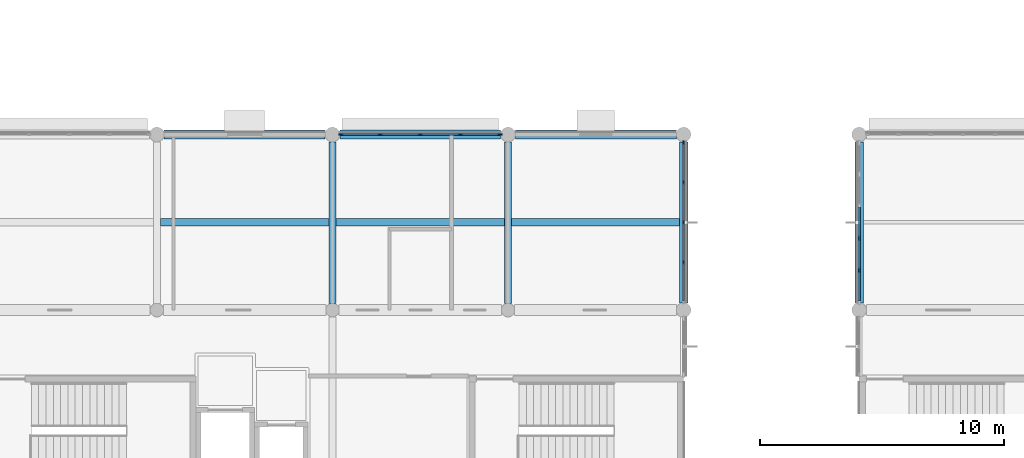
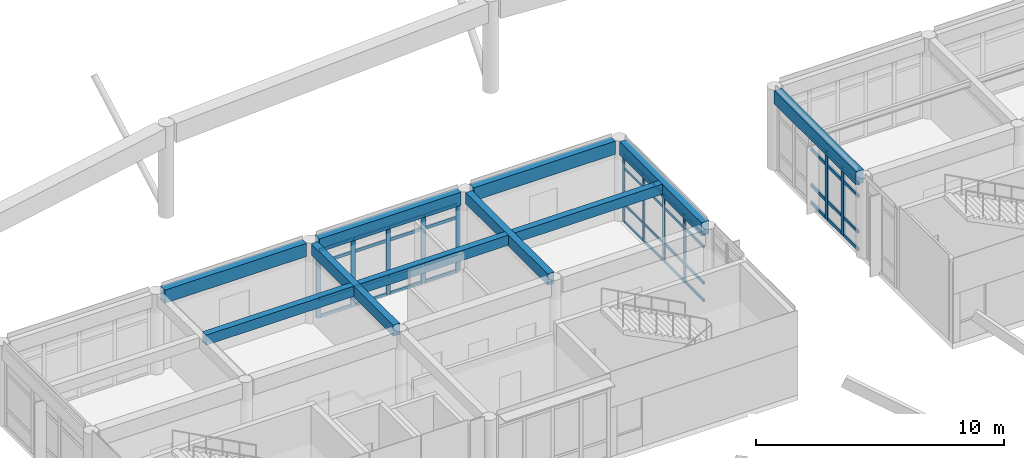
# One storey, part 11 of 37: 55 members, 10 beams, 3 elements without a shape of their own.
"""IFC4 building model written with IfcOpenShell, lengths in metres."""

import ifcopenshell
import ifcopenshell.guid

model = None  # the IFC model being written
_history = None  # IfcOwnerHistory: only IFC2X3 demands one
_inside = {}  # id of a spatial element -> (the spatial element, [elements in it])
_under = {}  # id of a project, library or spatial element -> (it, [spatial elements below it])
_declared = {}  # id of a project -> (the project, [libraries it declares])
_typed = {}  # id of a type object -> (the type object, [elements of that type])
_made_of = {}  # id of a material, layer set ... -> (it, [elements and type objects made of it])


def new_model(schema):
    """Start an empty IFC model of exactly this schema.

    Asked for "IFC4X3", IfcOpenShell would pick the latest addendum, in which some entities
    have other attributes; the version numbers below select the first issue.
    IFC2X3 requires an IfcOwnerHistory on every rooted entity: one is made here for all.
    """
    global model, _history
    if schema == "IFC4X3":
        model = ifcopenshell.file(schema_version=(4, 3, 0, 0))
    else:
        model = ifcopenshell.file(schema=schema)
    _inside.clear()
    _under.clear()
    _declared.clear()
    _typed.clear()
    _made_of.clear()
    _history = None
    if model.schema == "IFC2X3":
        org = make("IfcOrganization", Name="unknown")
        user = make(
            "IfcPersonAndOrganization",
            ThePerson=make("IfcPerson", FamilyName="unknown"),
            TheOrganization=org,
        )
        app = make(
            "IfcApplication",
            ApplicationDeveloper=org,
            Version="unknown",
            ApplicationFullName="unknown",
            ApplicationIdentifier="unknown",
        )
        _history = make(
            "IfcOwnerHistory",
            OwningUser=user,
            OwningApplication=app,
            ChangeAction="ADDED",
            CreationDate=0,
        )
    return model


def make(cls, **values):
    """One entity of the class cls with the attributes given. An attribute that is None is left unset."""
    return model.create_entity(
        cls, **{name: value for name, value in values.items() if value is not None}
    )


def rooted(cls, **values):
    """An entity with a GlobalId (a new one), such as an element, a storey or a relation."""
    return make(cls, GlobalId=ifcopenshell.guid.new(), OwnerHistory=_history, **values)


def si_unit(unit_type, name, prefix=None):
    """IfcSIUnit, for example si_unit("LENGTHUNIT", "METRE", prefix="MILLI")."""
    return make("IfcSIUnit", UnitType=unit_type, Prefix=prefix, Name=name)


def assignment(units):
    """IfcUnitAssignment: the units of a project."""
    return None if units is None else make("IfcUnitAssignment", Units=units)


def point(xyz):
    """IfcCartesianPoint."""
    return None if xyz is None else make("IfcCartesianPoint", Coordinates=xyz)


def direction(xyz):
    """IfcDirection."""
    return None if xyz is None else make("IfcDirection", DirectionRatios=xyz)


def frame(location, z_axis=None, x_axis=None):
    """IfcAxis2Placement3D, a coordinate frame: its origin and axes. An axis left out is left unset."""
    return make(
        "IfcAxis2Placement3D",
        Location=point(location),
        Axis=direction(z_axis),
        RefDirection=direction(x_axis),
    )


def frame_2d(location, x_axis=None):
    """IfcAxis2Placement2D, a coordinate frame in the plane: its origin and x axis."""
    return make(
        "IfcAxis2Placement2D", Location=point(location), RefDirection=direction(x_axis)
    )


def origin():
    """The frame at (0, 0, 0) with its axes left unset."""
    return frame((0.0, 0.0, 0.0))


def origin_2d():
    """The frame at (0, 0) in the plane with its x axis left unset."""
    return frame_2d((0.0, 0.0))


def place(relative_to, where):
    """IfcLocalPlacement: puts the frame where relative to a parent placement (None: the world)."""
    return make(
        "IfcLocalPlacement", PlacementRelTo=relative_to, RelativePlacement=where
    )


def context(
    kind, dimensions, precision=None, world=None, true_north=None, identifier=None
):
    """IfcGeometricRepresentationContext, for example the 3D "Model" context."""
    return make(
        "IfcGeometricRepresentationContext",
        ContextIdentifier=identifier,
        ContextType=kind,
        CoordinateSpaceDimension=dimensions,
        Precision=precision,
        WorldCoordinateSystem=world,
        TrueNorth=true_north,
    )


def subcontext(parent, identifier, kind, view, scale=None):
    """IfcGeometricRepresentationSubContext, for example "Body" below "Model"."""
    return make(
        "IfcGeometricRepresentationSubContext",
        ContextIdentifier=identifier,
        ContextType=kind,
        ParentContext=parent,
        TargetScale=scale,
        TargetView=view,
    )


def project(units=None, contexts=None):
    """IfcProject with its units and contexts."""
    return rooted(
        "IfcProject",
        Name="project",
        RepresentationContexts=contexts,
        UnitsInContext=assignment(units),
    )


def spatial(cls, under=None, at=None, **own):
    """A site, building, storey or space (cls), placed at a placement, below another one or the project."""
    s = rooted(cls, ObjectPlacement=at, **own)
    if under is not None:
        _under.setdefault(under.id(), (under, []))[1].append(s)
    return s


def profile(cls, at=None, kind="AREA", **sizes):
    """A parametric profile (cls). Its sizes go by their IFC names, for example OverallWidth=200.0."""
    return make(cls, ProfileType=kind, Position=at, **sizes)


def rectangle(**sizes):
    """IfcRectangleProfileDef."""
    return profile("IfcRectangleProfileDef", **sizes)


def extrude(swept, where, along, depth):
    """IfcExtrudedAreaSolid: the profile swept, set in the frame where, extruded along a direction by depth."""
    return make(
        "IfcExtrudedAreaSolid",
        SweptArea=swept,
        Position=where,
        ExtrudedDirection=direction(along),
        Depth=depth,
    )


def shape(context_of_items, identifier, shape_type, items):
    """IfcShapeRepresentation: the items that make up one representation, for example the "Body"."""
    return make(
        "IfcShapeRepresentation",
        ContextOfItems=context_of_items,
        RepresentationIdentifier=identifier,
        RepresentationType=shape_type,
        Items=items,
    )


def material(Name=None, Category=None):
    """IfcMaterial."""
    return make("IfcMaterial", Name=Name, Category=Category)


def layer(
    of_material, thickness, ventilated=None, Name=None, Category=None, Priority=None
):
    """IfcMaterialLayer: one layer of a wall or slab, of a material (None: an air gap)."""
    return make(
        "IfcMaterialLayer",
        Material=of_material,
        LayerThickness=thickness,
        IsVentilated=ventilated,
        Name=Name,
        Category=Category,
        Priority=Priority,
    )


def layer_set(layers, Name=None):
    """IfcMaterialLayerSet."""
    return make("IfcMaterialLayerSet", MaterialLayers=layers, LayerSetName=Name)


def material_profile(
    of_material, cross_section, Name=None, Category=None, Priority=None
):
    """IfcMaterialProfile: a cross section and its material."""
    return make(
        "IfcMaterialProfile",
        Name=Name,
        Material=of_material,
        Profile=cross_section,
        Priority=Priority,
        Category=Category,
    )


def profile_set(profiles, Name=None, composite=None):
    """IfcMaterialProfileSet."""
    return make(
        "IfcMaterialProfileSet",
        Name=Name,
        MaterialProfiles=profiles,
        CompositeProfile=composite,
    )


def made_of(thing, what):
    """Note that an element or type object is made of a material, layer set ...; save() writes the relation."""
    if what is not None:
        _made_of.setdefault(what.id(), (what, []))[1].append(thing)
    return thing


def type_object(cls, material=None, **own):
    """A type object (cls), such as IfcWallType, which elements share."""
    return made_of(rooted(cls, **own), material)


def element(
    cls,
    number,
    at=None,
    inside=None,
    cuts=None,
    type_object=None,
    material=None,
    context=None,
    identifier="Body",
    shape_type=None,
    held_by="IfcProductDefinitionShape",
    body=None,
    shapes=None,
    **own,
):
    """One element of the class cls, such as IfcWall. Its Tag is "e" and its number.

    at: its placement. inside: the storey or other place that contains it. cuts: it is an
    opening in that element (IfcRelVoidsElement). A single representation is given by context,
    identifier, shape_type and body (its items); several are given by shapes. held_by: the class
    of the entity that holds the representations. save() writes the other relations.
    """
    e = rooted(cls, Tag="e%d" % number, ObjectPlacement=at, **own)
    if body is not None:
        shapes = [shape(context, identifier, shape_type, body)]
    if shapes is not None:
        e.Representation = make(held_by, Representations=shapes)
    if inside is not None:
        _inside.setdefault(inside.id(), (inside, []))[1].append(e)
    if cuts is not None:
        rooted(
            "IfcRelVoidsElement", RelatingBuildingElement=cuts, RelatedOpeningElement=e
        )
    if type_object is not None:
        _typed.setdefault(type_object.id(), (type_object, []))[1].append(e)
    return made_of(e, material)


def aggregate(whole, parts):
    """IfcRelAggregates: a whole, such as a stair, and the parts it consists of."""
    return rooted("IfcRelAggregates", RelatingObject=whole, RelatedObjects=parts)


def save(model, path):
    """Write the relations noted so far, then the file.

    IfcRelAggregates (storeys below a building ...), IfcRelContainedInSpatialStructure (elements
    in a storey), IfcRelDefinesByType, IfcRelAssociatesMaterial and IfcRelDeclares: one each for
    every whole, place, type object, material and project.
    """
    for whole, parts in _under.values():
        aggregate(whole, parts)
    for where, things in _inside.values():
        rooted(
            "IfcRelContainedInSpatialStructure",
            RelatedElements=things,
            RelatingStructure=where,
        )
    for kind, things in _typed.values():
        rooted("IfcRelDefinesByType", RelatedObjects=things, RelatingType=kind)
    for what, things in _made_of.values():
        rooted("IfcRelAssociatesMaterial", RelatedObjects=things, RelatingMaterial=what)
    for by, libraries in _declared.values():
        rooted("IfcRelDeclares", RelatingContext=by, RelatedDefinitions=libraries)
    model.write(path)


model = new_model("IFC4")

# Units and contexts
model_context = context("Model", 3, precision=1e-05, world=origin(), true_north=direction((0.0, 1.0)))
body_context = subcontext(model_context, "Body", "Model", "MODEL_VIEW")
ifc_project = project(units=[si_unit("LENGTHUNIT", "METRE"), si_unit("AREAUNIT", "SQUARE_METRE"), si_unit("VOLUMEUNIT", "CUBIC_METRE"), si_unit("PLANEANGLEUNIT", "RADIAN"), si_unit("MASSUNIT", "GRAM", prefix="KILO")], contexts=[model_context])

# Site, building, storey
site_placement = place(None, origin())
site = spatial("IfcSite", under=ifc_project, at=site_placement, CompositionType="ELEMENT")
building_placement = place(site_placement, origin())
building = spatial("IfcBuilding", under=site, at=building_placement, Name="Namkhue Oval Health Centre", CompositionType="ELEMENT")
storey_placement = place(building_placement, frame((0.0, 0.0, 22.199951171875)))
storey = spatial("IfcBuildingStorey", under=building, at=storey_placement, Name="L05", CompositionType="ELEMENT", Elevation=22.199951171875)

# Curtain wall, members
ifc_material_1 = material(Name="Anodised aluminium EN AW-6063 T6", Category="aluminium")
ifc_layer_1 = layer(ifc_material_1, 0.159912109375)
ifc_layer_set_1 = layer_set([ifc_layer_1], Name="Anodised aluminium EN AW-6063 T6")
curtain_wall_type_1 = type_object("IfcCurtainWallType", Name="UNITISED CURTAIN WALL M1500", PredefinedType="NOTDEFINED", material=ifc_layer_set_1)
curtain_wall_1_placement = place(storey_placement, origin())
curtain_wall_1 = element("IfcCurtainWall", 1, at=curtain_wall_1_placement, inside=storey, type_object=curtain_wall_type_1, Name="Volume V2 L05 Unitised Curtain Wall 87", PredefinedType="NOTDEFINED")
ifc_material_profile_1 = material_profile(ifc_material_1, rectangle(XDim=0.06494140625, YDim=0.159912109375, at=origin_2d()), Name="ALU 65x160")
ifc_profile_set_1 = profile_set([ifc_material_profile_1], Name="Anodised aluminium EN AW-6063 T6")
member_type_1 = type_object("IfcMemberType", Name="CURTAIN WALL MULLION 65X160", PredefinedType="MULLION", material=ifc_profile_set_1)
member_1_placement = place(storey_placement, frame((86.39990234375, 99.155029296875, 0.0), z_axis=(0.0, 0.0, 1.0), x_axis=(-1.0, 0.0, 0.0)))
member_1 = element("IfcMember", 2, at=member_1_placement, type_object=member_type_1, Name="CW-03 mullion 2", PredefinedType="MULLION", context=body_context, shape_type="SweptSolid", body=[
    extrude(rectangle(XDim=0.06494140625, YDim=0.159912109375, at=origin_2d()), origin(), (0.0, 0.0, 1.0), 3.324951171875),
])
member_2_placement = place(storey_placement, frame((86.39990234375, 100.800048828125, 0.0), z_axis=(0.0, 0.0, 1.0), x_axis=(-1.0, 0.0, 0.0)))
member_2 = element("IfcMember", 3, at=member_2_placement, type_object=member_type_1, Name="CW-03 mullion 3", PredefinedType="MULLION", context=body_context, shape_type="SweptSolid", body=[
    extrude(rectangle(XDim=0.06494140625, YDim=0.159912109375, at=origin_2d()), origin(), (0.0, 0.0, 1.0), 3.324951171875),
])
member_3_placement = place(storey_placement, frame((86.39990234375, 102.445068359375, 0.0), z_axis=(0.0, 0.0, 1.0), x_axis=(-1.0, 0.0, 0.0)))
member_3 = element("IfcMember", 4, at=member_3_placement, type_object=member_type_1, Name="CW-03 mullion 4", PredefinedType="MULLION", context=body_context, shape_type="SweptSolid", body=[
    extrude(rectangle(XDim=0.06494140625, YDim=0.159912109375, at=origin_2d()), origin(), (0.0, 0.0, 1.0), 3.324951171875),
])
member_4_placement = place(storey_placement, frame((86.39990234375, 104.0576171875, 0.0), z_axis=(0.0, 0.0, 1.0), x_axis=(-1.0, 0.0, 0.0)))
member_4 = element("IfcMember", 5, at=member_4_placement, type_object=member_type_1, Name="CW-03 mullion 5", PredefinedType="MULLION", context=body_context, shape_type="SweptSolid", body=[
    extrude(rectangle(XDim=0.06494140625, YDim=0.159912109375, at=origin_2d()), origin(), (0.0, 0.0, 1.0), 3.324951171875),
])

ifc_layer_2 = layer(ifc_material_1, 0.159912109375)
ifc_layer_set_2 = layer_set([ifc_layer_2], Name="Anodised aluminium EN AW-6063 T6")
curtain_wall_type_2 = type_object("IfcCurtainWallType", Name="UNITISED CURTAIN WALL M1600", PredefinedType="NOTDEFINED", material=ifc_layer_set_2)
curtain_wall_2_placement = place(storey_placement, origin())
curtain_wall_2 = element("IfcCurtainWall", 6, at=curtain_wall_2_placement, inside=storey, type_object=curtain_wall_type_2, Name="Volume V2 L05 Unitised Curtain Wall 88", PredefinedType="NOTDEFINED")
ifc_material_profile_2 = material_profile(ifc_material_1, rectangle(XDim=0.074951171875, YDim=0.199951171875, at=origin_2d()), Name="ALU 75x200")
ifc_profile_set_2 = profile_set([ifc_material_profile_2], Name="Anodised aluminium EN AW-6063 T6")
member_type_2 = type_object("IfcMemberType", Name="CURTAIN WALL MULLION 75X200", PredefinedType="MULLION", material=ifc_profile_set_2)
member_5_placement = place(storey_placement, frame((78.8525390625, 104.39990234375, 0.0), z_axis=(0.0, 0.0, 1.0), x_axis=(0.0, -1.0, 0.0)))
member_5 = element("IfcMember", 7, at=member_5_placement, type_object=member_type_2, Name="CW-04 mullion 1", PredefinedType="MULLION", context=body_context, shape_type="SweptSolid", body=[
    extrude(rectangle(XDim=0.074951171875, YDim=0.199951171875, at=origin_2d()), origin(), (0.0, 0.0, 1.0), 3.324951171875),
])
member_6_placement = place(storey_placement, frame((77.2451171875, 104.39990234375, 0.0), z_axis=(0.0, 0.0, 1.0), x_axis=(0.0, -1.0, 0.0)))
member_6 = element("IfcMember", 8, at=member_6_placement, type_object=member_type_2, Name="CW-04 mullion 2", PredefinedType="MULLION", context=body_context, shape_type="SweptSolid", body=[
    extrude(rectangle(XDim=0.074951171875, YDim=0.199951171875, at=origin_2d()), origin(), (0.0, 0.0, 1.0), 3.324951171875),
])
member_7_placement = place(storey_placement, frame((75.60009765625, 104.39990234375, 0.0), z_axis=(0.0, 0.0, 1.0), x_axis=(0.0, -1.0, 0.0)))
member_7 = element("IfcMember", 9, at=member_7_placement, type_object=member_type_2, Name="CW-04 mullion 3", PredefinedType="MULLION", context=body_context, shape_type="SweptSolid", body=[
    extrude(rectangle(XDim=0.074951171875, YDim=0.199951171875, at=origin_2d()), origin(), (0.0, 0.0, 1.0), 3.324951171875),
])
member_8_placement = place(storey_placement, frame((73.955078125, 104.39990234375, 0.0), z_axis=(0.0, 0.0, 1.0), x_axis=(0.0, -1.0, 0.0)))
member_8 = element("IfcMember", 10, at=member_8_placement, type_object=member_type_2, Name="CW-04 mullion 4", PredefinedType="MULLION", context=body_context, shape_type="SweptSolid", body=[
    extrude(rectangle(XDim=0.074951171875, YDim=0.199951171875, at=origin_2d()), origin(), (0.0, 0.0, 1.0), 3.324951171875),
])
member_9_placement = place(storey_placement, frame((72.347412109375, 104.39990234375, 0.0), z_axis=(0.0, 0.0, 1.0), x_axis=(0.0, -1.0, 0.0)))
member_9 = element("IfcMember", 11, at=member_9_placement, type_object=member_type_2, Name="CW-04 mullion 5", PredefinedType="MULLION", context=body_context, shape_type="SweptSolid", body=[
    extrude(rectangle(XDim=0.074951171875, YDim=0.199951171875, at=origin_2d()), origin(), (0.0, 0.0, 1.0), 3.324951171875),
])

ifc_layer_3 = layer(ifc_material_1, 0.159912109375)
ifc_layer_set_3 = layer_set([ifc_layer_3], Name="Anodised aluminium EN AW-6063 T6")
curtain_wall_type_3 = type_object("IfcCurtainWallType", Name="UNITISED CURTAIN WALL M1350", PredefinedType="NOTDEFINED", material=ifc_layer_set_3)
curtain_wall_3_placement = place(storey_placement, origin())
curtain_wall_3 = element("IfcCurtainWall", 12, at=curtain_wall_3_placement, inside=storey, type_object=curtain_wall_type_3, Name="Volume V3 L05 Unitised Curtain Wall 134", PredefinedType="NOTDEFINED")
member_10_placement = place(storey_placement, frame((93.60009765625, 100.14208984375, 0.0), z_axis=(0.0, 0.0, 1.0), x_axis=(1.0, 0.0, 0.0)))
member_10 = element("IfcMember", 13, at=member_10_placement, type_object=member_type_2, Name="CW-02 mullion 4", PredefinedType="MULLION", context=body_context, shape_type="SweptSolid", body=[
    extrude(rectangle(XDim=0.074951171875, YDim=0.199951171875, at=origin_2d()), origin(), (0.0, 0.0, 1.0), 3.320068359375),
])
member_11_placement = place(storey_placement, frame((93.60009765625, 98.825927734375, 0.0), z_axis=(0.0, 0.0, 1.0), x_axis=(1.0, 0.0, 0.0)))
member_11 = element("IfcMember", 14, at=member_11_placement, type_object=member_type_2, Name="CW-02 mullion 5", PredefinedType="MULLION", context=body_context, shape_type="SweptSolid", body=[
    extrude(rectangle(XDim=0.074951171875, YDim=0.199951171875, at=origin_2d()), origin(), (0.0, 0.0, 1.0), 3.320068359375),
])

# Member
ifc_material_profile_3 = material_profile(ifc_material_1, rectangle(XDim=0.06494140625, YDim=0.1201171875, at=origin_2d()), Name="ALU 65x120")
ifc_profile_set_3 = profile_set([ifc_material_profile_3], Name="Anodised aluminium EN AW-6063 T6")
member_type_3 = type_object("IfcMemberType", Name="CURTAIN WALL TRANSOM 65X120", PredefinedType="USERDEFINED", material=ifc_profile_set_3)
member_12_placement = place(storey_placement, frame((86.39990234375, 97.574951171875, 0.032470703125), z_axis=(0.0, 1.0, 0.0), x_axis=(-1.0, 0.0, 0.0)))
member_12 = element("IfcMember", 15, at=member_12_placement, type_object=member_type_3, Name="CW-03 transom 1.1", ObjectType="TRANSOM", PredefinedType="USERDEFINED", context=body_context, shape_type="SweptSolid", body=[
    extrude(rectangle(XDim=0.06494140625, YDim=0.1201171875, at=origin_2d()), origin(), (0.0, 0.0, 1.0), 1.547607421875),
])

member_13_placement = place(storey_placement, frame((86.39990234375, 97.574951171875, 0.900146484375), z_axis=(0.0, 1.0, 0.0), x_axis=(-1.0, 0.0, 0.0)))
member_13 = element("IfcMember", 16, at=member_13_placement, type_object=member_type_3, Name="CW-03 transom 1.2", ObjectType="TRANSOM", PredefinedType="USERDEFINED", context=body_context, shape_type="SweptSolid", body=[
    extrude(rectangle(XDim=0.06494140625, YDim=0.1201171875, at=origin_2d()), origin(), (0.0, 0.0, 1.0), 1.547607421875),
])

member_14_placement = place(storey_placement, frame((86.39990234375, 97.574951171875, 2.675048828125), z_axis=(0.0, 1.0, 0.0), x_axis=(-1.0, 0.0, 0.0)))
member_14 = element("IfcMember", 17, at=member_14_placement, type_object=member_type_3, Name="CW-03 transom 1.3", ObjectType="TRANSOM", PredefinedType="USERDEFINED", context=body_context, shape_type="SweptSolid", body=[
    extrude(rectangle(XDim=0.06494140625, YDim=0.1201171875, at=origin_2d()), origin(), (0.0, 0.0, 1.0), 1.547607421875),
])

member_15_placement = place(storey_placement, frame((86.39990234375, 97.574951171875, 3.29248046875), z_axis=(0.0, 1.0, 0.0), x_axis=(-1.0, 0.0, 0.0)))
member_15 = element("IfcMember", 18, at=member_15_placement, type_object=member_type_3, Name="CW-03 transom 1.4", ObjectType="TRANSOM", PredefinedType="USERDEFINED", context=body_context, shape_type="SweptSolid", body=[
    extrude(rectangle(XDim=0.06494140625, YDim=0.1201171875, at=origin_2d()), origin(), (0.0, 0.0, 1.0), 1.547607421875),
])

member_16_placement = place(storey_placement, frame((86.39990234375, 99.1875, 0.032470703125), z_axis=(0.0, 1.0, 0.0), x_axis=(-1.0, 0.0, 0.0)))
member_16 = element("IfcMember", 19, at=member_16_placement, type_object=member_type_3, Name="CW-03 transom 2.1", ObjectType="TRANSOM", PredefinedType="USERDEFINED", context=body_context, shape_type="SweptSolid", body=[
    extrude(rectangle(XDim=0.06494140625, YDim=0.1201171875, at=origin_2d()), origin(), (0.0, 0.0, 1.0), 1.580078125),
])

member_17_placement = place(storey_placement, frame((86.39990234375, 99.1875, 0.900146484375), z_axis=(0.0, 1.0, 0.0), x_axis=(-1.0, 0.0, 0.0)))
member_17 = element("IfcMember", 20, at=member_17_placement, type_object=member_type_3, Name="CW-03 transom 2.2", ObjectType="TRANSOM", PredefinedType="USERDEFINED", context=body_context, shape_type="SweptSolid", body=[
    extrude(rectangle(XDim=0.06494140625, YDim=0.1201171875, at=origin_2d()), origin(), (0.0, 0.0, 1.0), 1.580078125),
])

member_18_placement = place(storey_placement, frame((86.39990234375, 99.1875, 2.675048828125), z_axis=(0.0, 1.0, 0.0), x_axis=(-1.0, 0.0, 0.0)))
member_18 = element("IfcMember", 21, at=member_18_placement, type_object=member_type_3, Name="CW-03 transom 2.3", ObjectType="TRANSOM", PredefinedType="USERDEFINED", context=body_context, shape_type="SweptSolid", body=[
    extrude(rectangle(XDim=0.06494140625, YDim=0.1201171875, at=origin_2d()), origin(), (0.0, 0.0, 1.0), 1.580078125),
])

member_19_placement = place(storey_placement, frame((86.39990234375, 99.1875, 3.29248046875), z_axis=(0.0, 1.0, 0.0), x_axis=(-1.0, 0.0, 0.0)))
member_19 = element("IfcMember", 22, at=member_19_placement, type_object=member_type_3, Name="CW-03 transom 2.4", ObjectType="TRANSOM", PredefinedType="USERDEFINED", context=body_context, shape_type="SweptSolid", body=[
    extrude(rectangle(XDim=0.06494140625, YDim=0.1201171875, at=origin_2d()), origin(), (0.0, 0.0, 1.0), 1.580078125),
])

member_20_placement = place(storey_placement, frame((86.39990234375, 100.83251953125, 0.032470703125), z_axis=(0.0, 1.0, 0.0), x_axis=(-1.0, 0.0, 0.0)))
member_20 = element("IfcMember", 23, at=member_20_placement, type_object=member_type_3, Name="CW-03 transom 3.1", ObjectType="TRANSOM", PredefinedType="USERDEFINED", context=body_context, shape_type="SweptSolid", body=[
    extrude(rectangle(XDim=0.06494140625, YDim=0.1201171875, at=origin_2d()), origin(), (0.0, 0.0, 1.0), 1.580078125),
])

member_21_placement = place(storey_placement, frame((86.39990234375, 100.83251953125, 0.900146484375), z_axis=(0.0, 1.0, 0.0), x_axis=(-1.0, 0.0, 0.0)))
member_21 = element("IfcMember", 24, at=member_21_placement, type_object=member_type_3, Name="CW-03 transom 3.2", ObjectType="TRANSOM", PredefinedType="USERDEFINED", context=body_context, shape_type="SweptSolid", body=[
    extrude(rectangle(XDim=0.06494140625, YDim=0.1201171875, at=origin_2d()), origin(), (0.0, 0.0, 1.0), 1.580078125),
])

member_22_placement = place(storey_placement, frame((86.39990234375, 100.83251953125, 2.675048828125), z_axis=(0.0, 1.0, 0.0), x_axis=(-1.0, 0.0, 0.0)))
member_22 = element("IfcMember", 25, at=member_22_placement, type_object=member_type_3, Name="CW-03 transom 3.3", ObjectType="TRANSOM", PredefinedType="USERDEFINED", context=body_context, shape_type="SweptSolid", body=[
    extrude(rectangle(XDim=0.06494140625, YDim=0.1201171875, at=origin_2d()), origin(), (0.0, 0.0, 1.0), 1.580078125),
])

member_23_placement = place(storey_placement, frame((86.39990234375, 100.83251953125, 3.29248046875), z_axis=(0.0, 1.0, 0.0), x_axis=(-1.0, 0.0, 0.0)))
member_23 = element("IfcMember", 26, at=member_23_placement, type_object=member_type_3, Name="CW-03 transom 3.4", ObjectType="TRANSOM", PredefinedType="USERDEFINED", context=body_context, shape_type="SweptSolid", body=[
    extrude(rectangle(XDim=0.06494140625, YDim=0.1201171875, at=origin_2d()), origin(), (0.0, 0.0, 1.0), 1.580078125),
])

member_24_placement = place(storey_placement, frame((86.39990234375, 102.4775390625, 0.032470703125), z_axis=(0.0, 1.0, 0.0), x_axis=(-1.0, 0.0, 0.0)))
member_24 = element("IfcMember", 27, at=member_24_placement, type_object=member_type_3, Name="CW-03 transom 4.1", ObjectType="TRANSOM", PredefinedType="USERDEFINED", context=body_context, shape_type="SweptSolid", body=[
    extrude(rectangle(XDim=0.06494140625, YDim=0.1201171875, at=origin_2d()), origin(), (0.0, 0.0, 1.0), 1.54736328125),
])

member_25_placement = place(storey_placement, frame((86.39990234375, 102.4775390625, 0.900146484375), z_axis=(0.0, 1.0, 0.0), x_axis=(-1.0, 0.0, 0.0)))
member_25 = element("IfcMember", 28, at=member_25_placement, type_object=member_type_3, Name="CW-03 transom 4.2", ObjectType="TRANSOM", PredefinedType="USERDEFINED", context=body_context, shape_type="SweptSolid", body=[
    extrude(rectangle(XDim=0.06494140625, YDim=0.1201171875, at=origin_2d()), origin(), (0.0, 0.0, 1.0), 1.54736328125),
])

member_26_placement = place(storey_placement, frame((86.39990234375, 102.4775390625, 2.675048828125), z_axis=(0.0, 1.0, 0.0), x_axis=(-1.0, 0.0, 0.0)))
member_26 = element("IfcMember", 29, at=member_26_placement, type_object=member_type_3, Name="CW-03 transom 4.3", ObjectType="TRANSOM", PredefinedType="USERDEFINED", context=body_context, shape_type="SweptSolid", body=[
    extrude(rectangle(XDim=0.06494140625, YDim=0.1201171875, at=origin_2d()), origin(), (0.0, 0.0, 1.0), 1.54736328125),
])

member_27_placement = place(storey_placement, frame((86.39990234375, 102.4775390625, 3.29248046875), z_axis=(0.0, 1.0, 0.0), x_axis=(-1.0, 0.0, 0.0)))
member_27 = element("IfcMember", 30, at=member_27_placement, type_object=member_type_3, Name="CW-03 transom 4.4", ObjectType="TRANSOM", PredefinedType="USERDEFINED", context=body_context, shape_type="SweptSolid", body=[
    extrude(rectangle(XDim=0.06494140625, YDim=0.1201171875, at=origin_2d()), origin(), (0.0, 0.0, 1.0), 1.54736328125),
])

aggregate(curtain_wall_1, [member_1, member_2, member_3, member_4, member_12, member_13, member_14, member_15, member_16, member_17, member_18, member_19, member_20, member_21, member_22, member_23, member_24, member_25, member_26, member_27])

ifc_material_profile_4 = material_profile(ifc_material_1, rectangle(XDim=0.074951171875, YDim=0.14990234375, at=origin_2d()), Name="ALU 75x150")
ifc_profile_set_4 = profile_set([ifc_material_profile_4], Name="Anodised aluminium EN AW-6063 T6")
member_type_4 = type_object("IfcMemberType", Name="CURTAIN WALL TRANSOM 75X150", PredefinedType="USERDEFINED", material=ifc_profile_set_4)
member_28_placement = place(storey_placement, frame((78.81494140625, 104.39990234375, 0.03759765625), z_axis=(-1.0, 0.0, 0.0), x_axis=(0.0, -1.0, 0.0)))
member_28 = element("IfcMember", 31, at=member_28_placement, type_object=member_type_4, Name="CW-04 transom 1.1", ObjectType="TRANSOM", PredefinedType="USERDEFINED", context=body_context, shape_type="SweptSolid", body=[
    extrude(rectangle(XDim=0.074951171875, YDim=0.14990234375, at=origin_2d()), origin(), (0.0, 0.0, 1.0), 1.532470703125),
])

member_29_placement = place(storey_placement, frame((78.81494140625, 104.39990234375, 0.900146484375), z_axis=(-1.0, 0.0, 0.0), x_axis=(0.0, -1.0, 0.0)))
member_29 = element("IfcMember", 32, at=member_29_placement, type_object=member_type_4, Name="CW-04 transom 1.2", ObjectType="TRANSOM", PredefinedType="USERDEFINED", context=body_context, shape_type="SweptSolid", body=[
    extrude(rectangle(XDim=0.074951171875, YDim=0.14990234375, at=origin_2d()), origin(), (0.0, 0.0, 1.0), 1.532470703125),
])

member_30_placement = place(storey_placement, frame((78.81494140625, 104.39990234375, 2.675048828125), z_axis=(-1.0, 0.0, 0.0), x_axis=(0.0, -1.0, 0.0)))
member_30 = element("IfcMember", 33, at=member_30_placement, type_object=member_type_4, Name="CW-04 transom 1.3", ObjectType="TRANSOM", PredefinedType="USERDEFINED", context=body_context, shape_type="SweptSolid", body=[
    extrude(rectangle(XDim=0.074951171875, YDim=0.14990234375, at=origin_2d()), origin(), (0.0, 0.0, 1.0), 1.532470703125),
])

member_31_placement = place(storey_placement, frame((78.81494140625, 104.39990234375, 3.28759765625), z_axis=(-1.0, 0.0, 0.0), x_axis=(0.0, -1.0, 0.0)))
member_31 = element("IfcMember", 34, at=member_31_placement, type_object=member_type_4, Name="CW-04 transom 1.4", ObjectType="TRANSOM", PredefinedType="USERDEFINED", context=body_context, shape_type="SweptSolid", body=[
    extrude(rectangle(XDim=0.074951171875, YDim=0.14990234375, at=origin_2d()), origin(), (0.0, 0.0, 1.0), 1.532470703125),
])

member_32_placement = place(storey_placement, frame((77.20751953125, 104.39990234375, 0.03759765625), z_axis=(-1.0, 0.0, 0.0), x_axis=(0.0, -1.0, 0.0)))
member_32 = element("IfcMember", 35, at=member_32_placement, type_object=member_type_4, Name="CW-04 transom 2.1", ObjectType="TRANSOM", PredefinedType="USERDEFINED", context=body_context, shape_type="SweptSolid", body=[
    extrude(rectangle(XDim=0.074951171875, YDim=0.14990234375, at=origin_2d()), origin(), (0.0, 0.0, 1.0), 1.570068359375),
])

member_33_placement = place(storey_placement, frame((77.20751953125, 104.39990234375, 0.900146484375), z_axis=(-1.0, 0.0, 0.0), x_axis=(0.0, -1.0, 0.0)))
member_33 = element("IfcMember", 36, at=member_33_placement, type_object=member_type_4, Name="CW-04 transom 2.2", ObjectType="TRANSOM", PredefinedType="USERDEFINED", context=body_context, shape_type="SweptSolid", body=[
    extrude(rectangle(XDim=0.074951171875, YDim=0.14990234375, at=origin_2d()), origin(), (0.0, 0.0, 1.0), 1.570068359375),
])

member_34_placement = place(storey_placement, frame((77.20751953125, 104.39990234375, 2.675048828125), z_axis=(-1.0, 0.0, 0.0), x_axis=(0.0, -1.0, 0.0)))
member_34 = element("IfcMember", 37, at=member_34_placement, type_object=member_type_4, Name="CW-04 transom 2.3", ObjectType="TRANSOM", PredefinedType="USERDEFINED", context=body_context, shape_type="SweptSolid", body=[
    extrude(rectangle(XDim=0.074951171875, YDim=0.14990234375, at=origin_2d()), origin(), (0.0, 0.0, 1.0), 1.570068359375),
])

member_35_placement = place(storey_placement, frame((77.20751953125, 104.39990234375, 3.28759765625), z_axis=(-1.0, 0.0, 0.0), x_axis=(0.0, -1.0, 0.0)))
member_35 = element("IfcMember", 38, at=member_35_placement, type_object=member_type_4, Name="CW-04 transom 2.4", ObjectType="TRANSOM", PredefinedType="USERDEFINED", context=body_context, shape_type="SweptSolid", body=[
    extrude(rectangle(XDim=0.074951171875, YDim=0.14990234375, at=origin_2d()), origin(), (0.0, 0.0, 1.0), 1.570068359375),
])

member_36_placement = place(storey_placement, frame((75.5625, 104.39990234375, 0.03759765625), z_axis=(-1.0, 0.0, 0.0), x_axis=(0.0, -1.0, 0.0)))
member_36 = element("IfcMember", 39, at=member_36_placement, type_object=member_type_4, Name="CW-04 transom 3.1", ObjectType="TRANSOM", PredefinedType="USERDEFINED", context=body_context, shape_type="SweptSolid", body=[
    extrude(rectangle(XDim=0.074951171875, YDim=0.14990234375, at=origin_2d()), origin(), (0.0, 0.0, 1.0), 1.570068359375),
])

member_37_placement = place(storey_placement, frame((75.5625, 104.39990234375, 0.900146484375), z_axis=(-1.0, 0.0, 0.0), x_axis=(0.0, -1.0, 0.0)))
member_37 = element("IfcMember", 40, at=member_37_placement, type_object=member_type_4, Name="CW-04 transom 3.2", ObjectType="TRANSOM", PredefinedType="USERDEFINED", context=body_context, shape_type="SweptSolid", body=[
    extrude(rectangle(XDim=0.074951171875, YDim=0.14990234375, at=origin_2d()), origin(), (0.0, 0.0, 1.0), 1.570068359375),
])

member_38_placement = place(storey_placement, frame((75.5625, 104.39990234375, 2.675048828125), z_axis=(-1.0, 0.0, 0.0), x_axis=(0.0, -1.0, 0.0)))
member_38 = element("IfcMember", 41, at=member_38_placement, type_object=member_type_4, Name="CW-04 transom 3.3", ObjectType="TRANSOM", PredefinedType="USERDEFINED", context=body_context, shape_type="SweptSolid", body=[
    extrude(rectangle(XDim=0.074951171875, YDim=0.14990234375, at=origin_2d()), origin(), (0.0, 0.0, 1.0), 1.570068359375),
])

member_39_placement = place(storey_placement, frame((75.5625, 104.39990234375, 3.28759765625), z_axis=(-1.0, 0.0, 0.0), x_axis=(0.0, -1.0, 0.0)))
member_39 = element("IfcMember", 42, at=member_39_placement, type_object=member_type_4, Name="CW-04 transom 3.4", ObjectType="TRANSOM", PredefinedType="USERDEFINED", context=body_context, shape_type="SweptSolid", body=[
    extrude(rectangle(XDim=0.074951171875, YDim=0.14990234375, at=origin_2d()), origin(), (0.0, 0.0, 1.0), 1.570068359375),
])

member_40_placement = place(storey_placement, frame((73.91748046875, 104.39990234375, 0.03759765625), z_axis=(-1.0, 0.0, 0.0), x_axis=(0.0, -1.0, 0.0)))
member_40 = element("IfcMember", 43, at=member_40_placement, type_object=member_type_4, Name="CW-04 transom 4.1", ObjectType="TRANSOM", PredefinedType="USERDEFINED", context=body_context, shape_type="SweptSolid", body=[
    extrude(rectangle(XDim=0.074951171875, YDim=0.14990234375, at=origin_2d()), origin(), (0.0, 0.0, 1.0), 1.532470703125),
])

member_41_placement = place(storey_placement, frame((73.91748046875, 104.39990234375, 0.900146484375), z_axis=(-1.0, 0.0, 0.0), x_axis=(0.0, -1.0, 0.0)))
member_41 = element("IfcMember", 44, at=member_41_placement, type_object=member_type_4, Name="CW-04 transom 4.2", ObjectType="TRANSOM", PredefinedType="USERDEFINED", context=body_context, shape_type="SweptSolid", body=[
    extrude(rectangle(XDim=0.074951171875, YDim=0.14990234375, at=origin_2d()), origin(), (0.0, 0.0, 1.0), 1.532470703125),
])

member_42_placement = place(storey_placement, frame((73.91748046875, 104.39990234375, 2.675048828125), z_axis=(-1.0, 0.0, 0.0), x_axis=(0.0, -1.0, 0.0)))
member_42 = element("IfcMember", 45, at=member_42_placement, type_object=member_type_4, Name="CW-04 transom 4.3", ObjectType="TRANSOM", PredefinedType="USERDEFINED", context=body_context, shape_type="SweptSolid", body=[
    extrude(rectangle(XDim=0.074951171875, YDim=0.14990234375, at=origin_2d()), origin(), (0.0, 0.0, 1.0), 1.532470703125),
])

member_43_placement = place(storey_placement, frame((73.91748046875, 104.39990234375, 3.28759765625), z_axis=(-1.0, 0.0, 0.0), x_axis=(0.0, -1.0, 0.0)))
member_43 = element("IfcMember", 46, at=member_43_placement, type_object=member_type_4, Name="CW-04 transom 4.4", ObjectType="TRANSOM", PredefinedType="USERDEFINED", context=body_context, shape_type="SweptSolid", body=[
    extrude(rectangle(XDim=0.074951171875, YDim=0.14990234375, at=origin_2d()), origin(), (0.0, 0.0, 1.0), 1.532470703125),
])

aggregate(curtain_wall_2, [member_5, member_6, member_7, member_8, member_9, member_28, member_29, member_30, member_31, member_32, member_33, member_34, member_35, member_36, member_37, member_38, member_39, member_40, member_41, member_42, member_43])

member_44_placement = place(storey_placement, frame((93.60009765625, 101.42041015625, 0.03759765625), z_axis=(0.0, -1.0, 0.0), x_axis=(1.0, 0.0, 0.0)))
member_44 = element("IfcMember", 47, at=member_44_placement, type_object=member_type_4, Name="CW-02 transom 3.1", ObjectType="TRANSOM", PredefinedType="USERDEFINED", context=body_context, shape_type="SweptSolid", body=[
    extrude(rectangle(XDim=0.074951171875, YDim=0.14990234375, at=origin_2d()), origin(), (0.0, 0.0, 1.0), 1.240966796875),
])

member_45_placement = place(storey_placement, frame((93.60009765625, 101.42041015625, 0.900146484375), z_axis=(0.0, -1.0, 0.0), x_axis=(1.0, 0.0, 0.0)))
member_45 = element("IfcMember", 48, at=member_45_placement, type_object=member_type_4, Name="CW-02 transom 3.2", ObjectType="TRANSOM", PredefinedType="USERDEFINED", context=body_context, shape_type="SweptSolid", body=[
    extrude(rectangle(XDim=0.074951171875, YDim=0.14990234375, at=origin_2d()), origin(), (0.0, 0.0, 1.0), 1.240966796875),
])

member_46_placement = place(storey_placement, frame((93.60009765625, 101.42041015625, 2.670166015625), z_axis=(0.0, -1.0, 0.0), x_axis=(1.0, 0.0, 0.0)))
member_46 = element("IfcMember", 49, at=member_46_placement, type_object=member_type_4, Name="CW-02 transom 3.3", ObjectType="TRANSOM", PredefinedType="USERDEFINED", context=body_context, shape_type="SweptSolid", body=[
    extrude(rectangle(XDim=0.074951171875, YDim=0.14990234375, at=origin_2d()), origin(), (0.0, 0.0, 1.0), 1.240966796875),
])

member_47_placement = place(storey_placement, frame((93.60009765625, 101.42041015625, 3.282470703125), z_axis=(0.0, -1.0, 0.0), x_axis=(1.0, 0.0, 0.0)))
member_47 = element("IfcMember", 50, at=member_47_placement, type_object=member_type_4, Name="CW-02 transom 3.4", ObjectType="TRANSOM", PredefinedType="USERDEFINED", context=body_context, shape_type="SweptSolid", body=[
    extrude(rectangle(XDim=0.074951171875, YDim=0.14990234375, at=origin_2d()), origin(), (0.0, 0.0, 1.0), 1.240966796875),
])

member_48_placement = place(storey_placement, frame((93.60009765625, 100.1044921875, 0.03759765625), z_axis=(0.0, -1.0, 0.0), x_axis=(1.0, 0.0, 0.0)))
member_48 = element("IfcMember", 51, at=member_48_placement, type_object=member_type_4, Name="CW-02 transom 4.1", ObjectType="TRANSOM", PredefinedType="USERDEFINED", context=body_context, shape_type="SweptSolid", body=[
    extrude(rectangle(XDim=0.074951171875, YDim=0.14990234375, at=origin_2d()), origin(), (0.0, 0.0, 1.0), 1.240966796875),
])

member_49_placement = place(storey_placement, frame((93.60009765625, 100.1044921875, 0.900146484375), z_axis=(0.0, -1.0, 0.0), x_axis=(1.0, 0.0, 0.0)))
member_49 = element("IfcMember", 52, at=member_49_placement, type_object=member_type_4, Name="CW-02 transom 4.2", ObjectType="TRANSOM", PredefinedType="USERDEFINED", context=body_context, shape_type="SweptSolid", body=[
    extrude(rectangle(XDim=0.074951171875, YDim=0.14990234375, at=origin_2d()), origin(), (0.0, 0.0, 1.0), 1.240966796875),
])

member_50_placement = place(storey_placement, frame((93.60009765625, 100.1044921875, 2.670166015625), z_axis=(0.0, -1.0, 0.0), x_axis=(1.0, 0.0, 0.0)))
member_50 = element("IfcMember", 53, at=member_50_placement, type_object=member_type_4, Name="CW-02 transom 4.3", ObjectType="TRANSOM", PredefinedType="USERDEFINED", context=body_context, shape_type="SweptSolid", body=[
    extrude(rectangle(XDim=0.074951171875, YDim=0.14990234375, at=origin_2d()), origin(), (0.0, 0.0, 1.0), 1.240966796875),
])

member_51_placement = place(storey_placement, frame((93.60009765625, 100.1044921875, 3.282470703125), z_axis=(0.0, -1.0, 0.0), x_axis=(1.0, 0.0, 0.0)))
member_51 = element("IfcMember", 54, at=member_51_placement, type_object=member_type_4, Name="CW-02 transom 4.4", ObjectType="TRANSOM", PredefinedType="USERDEFINED", context=body_context, shape_type="SweptSolid", body=[
    extrude(rectangle(XDim=0.074951171875, YDim=0.14990234375, at=origin_2d()), origin(), (0.0, 0.0, 1.0), 1.240966796875),
])

member_52_placement = place(storey_placement, frame((93.60009765625, 98.78857421875, 0.03759765625), z_axis=(0.0, -1.0, 0.0), x_axis=(1.0, 0.0, 0.0)))
member_52 = element("IfcMember", 55, at=member_52_placement, type_object=member_type_4, Name="CW-02 transom 5.1", ObjectType="TRANSOM", PredefinedType="USERDEFINED", context=body_context, shape_type="SweptSolid", body=[
    extrude(rectangle(XDim=0.074951171875, YDim=0.14990234375, at=origin_2d()), origin(), (0.0, 0.0, 1.0), 1.20361328125),
])

member_53_placement = place(storey_placement, frame((93.60009765625, 98.78857421875, 0.900146484375), z_axis=(0.0, -1.0, 0.0), x_axis=(1.0, 0.0, 0.0)))
member_53 = element("IfcMember", 56, at=member_53_placement, type_object=member_type_4, Name="CW-02 transom 5.2", ObjectType="TRANSOM", PredefinedType="USERDEFINED", context=body_context, shape_type="SweptSolid", body=[
    extrude(rectangle(XDim=0.074951171875, YDim=0.14990234375, at=origin_2d()), origin(), (0.0, 0.0, 1.0), 1.20361328125),
])

member_54_placement = place(storey_placement, frame((93.60009765625, 98.78857421875, 2.670166015625), z_axis=(0.0, -1.0, 0.0), x_axis=(1.0, 0.0, 0.0)))
member_54 = element("IfcMember", 57, at=member_54_placement, type_object=member_type_4, Name="CW-02 transom 5.3", ObjectType="TRANSOM", PredefinedType="USERDEFINED", context=body_context, shape_type="SweptSolid", body=[
    extrude(rectangle(XDim=0.074951171875, YDim=0.14990234375, at=origin_2d()), origin(), (0.0, 0.0, 1.0), 1.20361328125),
])

member_55_placement = place(storey_placement, frame((93.60009765625, 98.78857421875, 3.282470703125), z_axis=(0.0, -1.0, 0.0), x_axis=(1.0, 0.0, 0.0)))
member_55 = element("IfcMember", 58, at=member_55_placement, type_object=member_type_4, Name="CW-02 transom 5.4", ObjectType="TRANSOM", PredefinedType="USERDEFINED", context=body_context, shape_type="SweptSolid", body=[
    extrude(rectangle(XDim=0.074951171875, YDim=0.14990234375, at=origin_2d()), origin(), (0.0, 0.0, 1.0), 1.20361328125),
])

aggregate(curtain_wall_3, [member_10, member_11, member_44, member_45, member_46, member_47, member_48, member_49, member_50, member_51, member_52, member_53, member_54, member_55])

# Beams
ifc_material_2 = material(Name="Reinforced concrete C30/37 (TCVN B35)", Category="concrete")
ifc_material_profile_5 = material_profile(ifc_material_2, rectangle(XDim=0.300048828125, YDim=0.550048828125, at=origin_2d()), Name="RC 300x550")
ifc_profile_set_5 = profile_set([ifc_material_profile_5], Name="Reinforced concrete C30/37 (TCVN B35)")
beam_type_1 = type_object("IfcBeamType", Name="FLOOR BEAM RC 300X550", PredefinedType="BEAM", material=ifc_profile_set_5)
for number, where, z_axis, x_axis, name in (
    (59, (72.0, 97.47509765625, 3.699951171875), (0.0, 1.0, 0.0), (-1.0, 0.0, 0.0), "Volume V2 RF Beam 11/O-P"),
    (60, (79.199951171875, 97.47509765625, 3.699951171875), (0.0, 1.0, 0.0), (-1.0, 0.0, 0.0), "Volume V2 RF Beam 12/O-P"),
):
    element("IfcBeam", number, at=place(storey_placement, frame(where, z_axis=z_axis, x_axis=x_axis)), inside=storey, type_object=beam_type_1, Name=name, PredefinedType="BEAM", context=body_context, shape_type="SweptSolid", body=[
        extrude(rectangle(XDim=0.300048828125, YDim=0.550048828125, at=origin_2d()), origin(), (0.0, 0.0, 1.0), 6.625),
    ])
ifc_material_3 = material(Name="Reinforced concrete C35/45 (TCVN B40)", Category="concrete")
ifc_material_profile_6 = material_profile(ifc_material_3, rectangle(XDim=0.35009765625, YDim=0.64990234375, at=origin_2d()), Name="RC 350x650")
ifc_profile_set_6 = profile_set([ifc_material_profile_6], Name="Reinforced concrete C35/45 (TCVN B40)")
beam_type_2 = type_object("IfcBeamType", Name="PERIMETER SPANDREL BEAM 350X650", PredefinedType="SPANDREL", material=ifc_profile_set_6)
for number, where, z_axis, x_axis, name in (
    (61, (65.10009765625, 104.39990234375, 3.650146484375), (1.0, 0.0, 0.0), (0.0, 1.0, 0.0), "Volume V2 RF Girder P/10-11"),
    (62, (72.300048828125, 104.39990234375, 3.650146484375), (1.0, 0.0, 0.0), (0.0, 1.0, 0.0), "Volume V2 RF Girder P/11-12"),
):
    element("IfcBeam", number, at=place(storey_placement, frame(where, z_axis=z_axis, x_axis=x_axis)), inside=storey, type_object=beam_type_2, Name=name, PredefinedType="SPANDREL", context=body_context, shape_type="SweptSolid", body=[
        extrude(rectangle(XDim=0.35009765625, YDim=0.64990234375, at=origin_2d()), origin(), (0.0, 0.0, 1.0), 6.599853515625),
    ])
for number, where, z_axis, x_axis, name in (
    (63, (79.5, 104.39990234375, 3.650146484375), (1.0, 0.0, 0.0), (0.0, 1.0, 0.0), "Volume V2 RF Girder P/12-13"),
    (64, (86.39990234375, 97.5, 3.650146484375), (0.0, 1.0, 0.0), (-1.0, 0.0, 0.0), "Volume V2 RF Beam 13/O-P"),
    (65, (93.60009765625, 97.5, 3.64501953125), (0.0, 1.0, 0.0), (-1.0, 0.0, 0.0), "Volume V3 RF Beam 14/O-P"),
):
    element("IfcBeam", number, at=place(storey_placement, frame(where, z_axis=z_axis, x_axis=x_axis)), inside=storey, type_object=beam_type_2, Name=name, PredefinedType="SPANDREL", context=body_context, shape_type="SweptSolid", body=[
        extrude(rectangle(XDim=0.35009765625, YDim=0.64990234375, at=origin_2d()), origin(), (0.0, 0.0, 1.0), 6.60009765625),
    ])
ifc_material_profile_7 = material_profile(ifc_material_2, rectangle(XDim=0.300048828125, YDim=0.5, at=origin_2d()), Name="RC 300x500")
ifc_profile_set_7 = profile_set([ifc_material_profile_7], Name="Reinforced concrete C30/37 (TCVN B35)")
beam_type_3 = type_object("IfcBeamType", Name="SECONDARY JOIST RC 300X500", PredefinedType="JOIST", material=ifc_profile_set_7)
for number, where, z_axis, x_axis, name in (
    (66, (64.949951171875, 100.800048828125, 3.72509765625), (1.0, 0.0, 0.0), (0.0, 1.0, 0.0), "Volume V2 RF Secondary Joist 10-11"),
    (67, (72.14990234375, 100.800048828125, 3.72509765625), (1.0, 0.0, 0.0), (0.0, 1.0, 0.0), "Volume V2 RF Secondary Joist 11-12"),
):
    element("IfcBeam", number, at=place(storey_placement, frame(where, z_axis=z_axis, x_axis=x_axis)), inside=storey, type_object=beam_type_3, Name=name, PredefinedType="JOIST", context=body_context, shape_type="SweptSolid", body=[
        extrude(rectangle(XDim=0.300048828125, YDim=0.5, at=origin_2d()), origin(), (0.0, 0.0, 1.0), 6.900146484375),
    ])
beam_placement = place(storey_placement, frame((79.35009765625, 100.800048828125, 3.72509765625), z_axis=(1.0, 0.0, 0.0), x_axis=(0.0, 1.0, 0.0)))
element("IfcBeam", 68, at=beam_placement, inside=storey, type_object=beam_type_3, Name="Volume V2 RF Secondary Joist 12-13", PredefinedType="JOIST", context=body_context, shape_type="SweptSolid", body=[
    extrude(rectangle(XDim=0.300048828125, YDim=0.5, at=origin_2d()), origin(), (0.0, 0.0, 1.0), 6.875),
])

save(model, "model.ifc")
